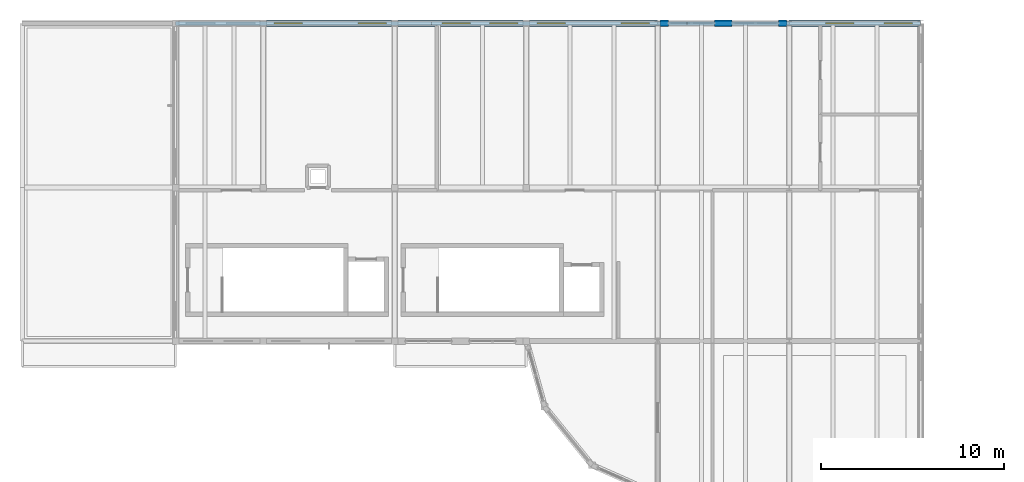
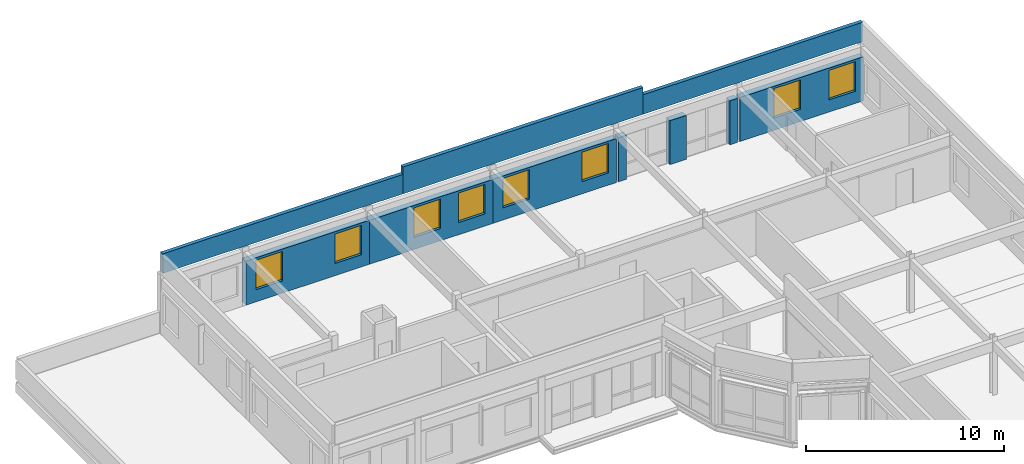
# One storey, part 19 of 21: 10 walls, 8 windows, 8 openings.
"""IFC4 building model written with IfcOpenShell, lengths in metres."""

from ifc_helpers import new_model, si_unit, direction, frame, frame_2d, origin, place, context, subcontext, project, spatial, rectangle, extrude, material, layer, layer_set, type_object, element, fill, save


model = new_model("IFC4")

# Units and contexts
model_context = context("Model", 3, precision=1e-05, world=origin(), true_north=direction((0.0, 1.0)))
body_context = subcontext(model_context, "Body", "Model", "MODEL_VIEW")
ifc_project = project(units=[si_unit("LENGTHUNIT", "METRE"), si_unit("AREAUNIT", "SQUARE_METRE"), si_unit("VOLUMEUNIT", "CUBIC_METRE"), si_unit("PLANEANGLEUNIT", "RADIAN"), si_unit("MASSUNIT", "GRAM", prefix="KILO")], contexts=[model_context])

# Site, building, storey
site_placement = place(None, origin())
site = spatial("IfcSite", under=ifc_project, at=site_placement, CompositionType="ELEMENT")
building_placement = place(site_placement, origin())
building = spatial("IfcBuilding", under=site, at=building_placement, Name="Kahlenmark Community Centre", CompositionType="ELEMENT")
storey_placement = place(building_placement, frame((0.0, 0.0, 21.60009765625)))
storey = spatial("IfcBuildingStorey", under=building, at=storey_placement, Name="L05", CompositionType="ELEMENT", Elevation=21.60009765625)

# Wall, openings, windows
ifc_material_1 = material(Name="Danube limestone masonry", Category="masonry")
ifc_layer_1 = layer(ifc_material_1, 0.360107421875)
ifc_layer_set_1 = layer_set([ifc_layer_1], Name="Danube limestone masonry")
wall_type_1 = type_object("IfcWallType", Name="WT-EW-360", PredefinedType="SOLIDWALL", material=ifc_layer_set_1)
wall_1_placement = place(storey_placement, frame((58.0, 115.0, 0.0), z_axis=(0.0, 0.0, 1.0), x_axis=(-1.0, 0.0, 0.0)))
wall_1 = element("IfcWall", 1, at=wall_1_placement, inside=storey, type_object=wall_type_1, Name="Exterior wall WL-EXT-L05-0673", PredefinedType="SOLIDWALL", context=body_context, shape_type="SweptSolid", body=[
    extrude(rectangle(XDim=7.199951171875, YDim=0.360107421875, at=frame_2d((3.60009765625, 0.0))), origin(), (0.0, 0.0, 1.0), 2.7099609375),
])
opening_1_placement = place(wall_1_placement, frame((0.4599609375, 0.0, 0.75)))
opening_1 = element("IfcOpeningElement", 2, at=opening_1_placement, cuts=wall_1, Name="Opening W-155X182", PredefinedType="OPENING", context=body_context, shape_type="SweptSolid", body=[
    extrude(rectangle(XDim=1.550048828125, YDim=1.820068359375, at=frame_2d((0.77490234375, 0.91015625))), frame((0.0, 0.18994140625, 0.0), z_axis=(0.0, -1.0, 0.0), x_axis=(1.0, 0.0, 0.0)), (0.0, 0.0, 1.0), 0.380126953125),
])
opening_2_placement = place(wall_1_placement, frame((5.06005859375, 0.0, 0.75)))
opening_2 = element("IfcOpeningElement", 3, at=opening_2_placement, cuts=wall_1, Name="Opening W-155X182", PredefinedType="OPENING", context=body_context, shape_type="SweptSolid", body=[
    extrude(rectangle(XDim=1.550048828125, YDim=1.820068359375, at=frame_2d((0.77490234375, 0.91015625))), frame((0.0, 0.18994140625, 0.0), z_axis=(0.0, -1.0, 0.0), x_axis=(1.0, 0.0, 0.0)), (0.0, 0.0, 1.0), 0.380126953125),
])
ifc_material_2 = material(Name="Deep-reveal limestone punched triple glazing", Category="masonry")
window_type = type_object("IfcWindowType", Name="WNT-155X182", PartitioningType="DOUBLE_PANEL_HORIZONTAL", PredefinedType="WINDOW", material=ifc_material_2)
window_1_placement = place(opening_1_placement, origin())
window_1 = element("IfcWindow", 4, at=window_1_placement, inside=storey, type_object=window_type, Name="Window W-155X182 #0453", OverallHeight=1.820068359375, OverallWidth=1.550048828125, PartitioningType="DOUBLE_PANEL_HORIZONTAL", PredefinedType="WINDOW", context=body_context, shape_type="SweptSolid", body=[
    extrude(rectangle(XDim=1.550048828125, YDim=1.820068359375, at=frame_2d((0.77490234375, 0.91015625))), frame((0.0, 0.030029296875, 0.0), z_axis=(0.0, -1.0, 0.0), x_axis=(1.0, 0.0, 0.0)), (0.0, 0.0, 1.0), 0.06005859375),
])
fill(opening_1, window_1)
window_2_placement = place(opening_2_placement, origin())
window_2 = element("IfcWindow", 5, at=window_2_placement, inside=storey, type_object=window_type, Name="Window W-155X182 #0454", OverallHeight=1.820068359375, OverallWidth=1.550048828125, PartitioningType="DOUBLE_PANEL_HORIZONTAL", PredefinedType="WINDOW", context=body_context, shape_type="SweptSolid", body=[
    extrude(rectangle(XDim=1.550048828125, YDim=1.820068359375, at=frame_2d((0.77490234375, 0.91015625))), frame((0.0, 0.030029296875, 0.0), z_axis=(0.0, -1.0, 0.0), x_axis=(1.0, 0.0, 0.0)), (0.0, 0.0, 1.0), 0.06005859375),
])
fill(opening_2, window_2)

wall_2_placement = place(storey_placement, frame((65.199951171875, 115.0, 0.0), z_axis=(0.0, 0.0, 1.0), x_axis=(-1.0, 0.0, 0.0)))
wall_2 = element("IfcWall", 6, at=wall_2_placement, inside=storey, type_object=wall_type_1, Name="Exterior wall WL-EXT-L05-0674", PredefinedType="SOLIDWALL", context=body_context, shape_type="SweptSolid", body=[
    extrude(rectangle(XDim=7.199951171875, YDim=0.360107421875, at=frame_2d((3.60009765625, 0.0))), origin(), (0.0, 0.0, 1.0), 2.7099609375),
])
opening_3_placement = place(wall_2_placement, frame((0.4599609375, 0.0, 0.75)))
opening_3 = element("IfcOpeningElement", 7, at=opening_3_placement, cuts=wall_2, Name="Opening W-155X182", PredefinedType="OPENING", context=body_context, shape_type="SweptSolid", body=[
    extrude(rectangle(XDim=1.550048828125, YDim=1.820068359375, at=frame_2d((0.77490234375, 0.91015625))), frame((0.0, 0.18994140625, 0.0), z_axis=(0.0, -1.0, 0.0), x_axis=(1.0, 0.0, 0.0)), (0.0, 0.0, 1.0), 0.380126953125),
])
opening_4_placement = place(wall_2_placement, frame((3.06005859375, 0.0, 0.75)))
opening_4 = element("IfcOpeningElement", 8, at=opening_4_placement, cuts=wall_2, Name="Opening W-155X182", PredefinedType="OPENING", context=body_context, shape_type="SweptSolid", body=[
    extrude(rectangle(XDim=1.550048828125, YDim=1.820068359375, at=frame_2d((0.77490234375, 0.91015625))), frame((0.0, 0.18994140625, 0.0), z_axis=(0.0, -1.0, 0.0), x_axis=(1.0, 0.0, 0.0)), (0.0, 0.0, 1.0), 0.380126953125),
])
window_3_placement = place(opening_3_placement, origin())
window_3 = element("IfcWindow", 9, at=window_3_placement, inside=storey, type_object=window_type, Name="Window W-155X182 #0455", OverallHeight=1.820068359375, OverallWidth=1.550048828125, PartitioningType="DOUBLE_PANEL_HORIZONTAL", PredefinedType="WINDOW", context=body_context, shape_type="SweptSolid", body=[
    extrude(rectangle(XDim=1.550048828125, YDim=1.820068359375, at=frame_2d((0.77490234375, 0.91015625))), frame((0.0, 0.030029296875, 0.0), z_axis=(0.0, -1.0, 0.0), x_axis=(1.0, 0.0, 0.0)), (0.0, 0.0, 1.0), 0.06005859375),
])
fill(opening_3, window_3)
window_4_placement = place(opening_4_placement, origin())
window_4 = element("IfcWindow", 10, at=window_4_placement, inside=storey, type_object=window_type, Name="Window W-155X182 #0456", OverallHeight=1.820068359375, OverallWidth=1.550048828125, PartitioningType="DOUBLE_PANEL_HORIZONTAL", PredefinedType="WINDOW", context=body_context, shape_type="SweptSolid", body=[
    extrude(rectangle(XDim=1.550048828125, YDim=1.820068359375, at=frame_2d((0.77490234375, 0.91015625))), frame((0.0, 0.030029296875, 0.0), z_axis=(0.0, -1.0, 0.0), x_axis=(1.0, 0.0, 0.0)), (0.0, 0.0, 1.0), 0.06005859375),
])
fill(opening_4, window_4)

wall_3_placement = place(storey_placement, frame((72.39990234375, 115.0, 0.0), z_axis=(0.0, 0.0, 1.0), x_axis=(-1.0, 0.0, 0.0)))
wall_3 = element("IfcWall", 11, at=wall_3_placement, inside=storey, type_object=wall_type_1, Name="Exterior wall WL-EXT-L05-0675", PredefinedType="SOLIDWALL", context=body_context, shape_type="SweptSolid", body=[
    extrude(rectangle(XDim=7.199951171875, YDim=0.360107421875, at=frame_2d((3.60009765625, 0.0))), origin(), (0.0, 0.0, 1.0), 2.7099609375),
])
opening_5_placement = place(wall_3_placement, frame((0.4599609375, 0.0, 0.75)))
opening_5 = element("IfcOpeningElement", 12, at=opening_5_placement, cuts=wall_3, Name="Opening W-155X182", PredefinedType="OPENING", context=body_context, shape_type="SweptSolid", body=[
    extrude(rectangle(XDim=1.550048828125, YDim=1.820068359375, at=frame_2d((0.77490234375, 0.91015625))), frame((0.0, 0.18994140625, 0.0), z_axis=(0.0, -1.0, 0.0), x_axis=(1.0, 0.0, 0.0)), (0.0, 0.0, 1.0), 0.380126953125),
])
opening_6_placement = place(wall_3_placement, frame((5.06005859375, 0.0, 0.75)))
opening_6 = element("IfcOpeningElement", 13, at=opening_6_placement, cuts=wall_3, Name="Opening W-155X182", PredefinedType="OPENING", context=body_context, shape_type="SweptSolid", body=[
    extrude(rectangle(XDim=1.550048828125, YDim=1.820068359375, at=frame_2d((0.77490234375, 0.91015625))), frame((0.0, 0.18994140625, 0.0), z_axis=(0.0, -1.0, 0.0), x_axis=(1.0, 0.0, 0.0)), (0.0, 0.0, 1.0), 0.380126953125),
])
window_5_placement = place(opening_5_placement, origin())
window_5 = element("IfcWindow", 14, at=window_5_placement, inside=storey, type_object=window_type, Name="Window W-155X182 #0457", OverallHeight=1.820068359375, OverallWidth=1.550048828125, PartitioningType="DOUBLE_PANEL_HORIZONTAL", PredefinedType="WINDOW", context=body_context, shape_type="SweptSolid", body=[
    extrude(rectangle(XDim=1.550048828125, YDim=1.820068359375, at=frame_2d((0.77490234375, 0.91015625))), frame((0.0, 0.030029296875, 0.0), z_axis=(0.0, -1.0, 0.0), x_axis=(1.0, 0.0, 0.0)), (0.0, 0.0, 1.0), 0.06005859375),
])
fill(opening_5, window_5)
window_6_placement = place(opening_6_placement, origin())
window_6 = element("IfcWindow", 15, at=window_6_placement, inside=storey, type_object=window_type, Name="Window W-155X182 #0458", OverallHeight=1.820068359375, OverallWidth=1.550048828125, PartitioningType="DOUBLE_PANEL_HORIZONTAL", PredefinedType="WINDOW", context=body_context, shape_type="SweptSolid", body=[
    extrude(rectangle(XDim=1.550048828125, YDim=1.820068359375, at=frame_2d((0.77490234375, 0.91015625))), frame((0.0, 0.030029296875, 0.0), z_axis=(0.0, -1.0, 0.0), x_axis=(1.0, 0.0, 0.0)), (0.0, 0.0, 1.0), 0.06005859375),
])
fill(opening_6, window_6)

# Walls
wall_4_placement = place(storey_placement, frame((76.47998046875, 115.0, 0.0), z_axis=(0.0, 0.0, 1.0), x_axis=(-1.0, 0.0, 0.0)))
element("IfcWall", 16, at=wall_4_placement, inside=storey, type_object=wall_type_1, Name="Postmodern limestone pier 0676", PredefinedType="SOLIDWALL", context=body_context, shape_type="SweptSolid", body=[
    extrude(rectangle(XDim=0.9599609375, YDim=0.360107421875, at=frame_2d((0.47998046875, 0.0))), origin(), (0.0, 0.0, 1.0), 2.7099609375),
])
for number, where, z_axis, x_axis, name in (
    (17, (79.469970703125, 115.0, 0.0), (0.0, 0.0, 1.0), (-1.0, 0.0, 0.0), "Column closure pier 0677"),
    (18, (72.97998046875, 115.0, 0.0), (0.0, 0.0, 1.0), (-1.0, 0.0, 0.0), "Column closure pier 0678"),
):
    element("IfcWall", number, at=place(storey_placement, frame(where, z_axis=z_axis, x_axis=x_axis)), inside=storey, type_object=wall_type_1, Name=name, PredefinedType="SOLIDWALL", context=body_context, shape_type="SweptSolid", body=[
        extrude(rectangle(XDim=0.449951171875, YDim=0.360107421875, at=frame_2d((0.22509765625, 0.0))), origin(), (0.0, 0.0, 1.0), 2.7099609375),
    ])

# Wall, openings, windows
wall_5_placement = place(storey_placement, frame((86.800048828125, 115.0, 0.0), z_axis=(0.0, 0.0, 1.0), x_axis=(-1.0, 0.0, 0.0)))
wall_5 = element("IfcWall", 19, at=wall_5_placement, inside=storey, type_object=wall_type_1, Name="Exterior wall WL-EXT-L05-0679", PredefinedType="SOLIDWALL", context=body_context, shape_type="SweptSolid", body=[
    extrude(rectangle(XDim=7.199951171875, YDim=0.360107421875, at=frame_2d((3.60009765625, 0.0))), origin(), (0.0, 0.0, 1.0), 2.7099609375),
])
opening_7_placement = place(wall_5_placement, frame((0.4599609375, 0.0, 0.75)))
opening_7 = element("IfcOpeningElement", 20, at=opening_7_placement, cuts=wall_5, Name="Opening W-155X182", PredefinedType="OPENING", context=body_context, shape_type="SweptSolid", body=[
    extrude(rectangle(XDim=1.550048828125, YDim=1.820068359375, at=frame_2d((0.77490234375, 0.91015625))), frame((0.0, 0.18994140625, 0.0), z_axis=(0.0, -1.0, 0.0), x_axis=(1.0, 0.0, 0.0)), (0.0, 0.0, 1.0), 0.380126953125),
])
opening_8_placement = place(wall_5_placement, frame((3.659912109375, 0.0, 0.75)))
opening_8 = element("IfcOpeningElement", 21, at=opening_8_placement, cuts=wall_5, Name="Opening W-155X182", PredefinedType="OPENING", context=body_context, shape_type="SweptSolid", body=[
    extrude(rectangle(XDim=1.550048828125, YDim=1.820068359375, at=frame_2d((0.77490234375, 0.91015625))), frame((0.0, 0.18994140625, 0.0), z_axis=(0.0, -1.0, 0.0), x_axis=(1.0, 0.0, 0.0)), (0.0, 0.0, 1.0), 0.380126953125),
])
window_7_placement = place(opening_7_placement, origin())
window_7 = element("IfcWindow", 22, at=window_7_placement, inside=storey, type_object=window_type, Name="Window W-155X182 #0459", OverallHeight=1.820068359375, OverallWidth=1.550048828125, PartitioningType="DOUBLE_PANEL_HORIZONTAL", PredefinedType="WINDOW", context=body_context, shape_type="SweptSolid", body=[
    extrude(rectangle(XDim=1.550048828125, YDim=1.820068359375, at=frame_2d((0.77490234375, 0.91015625))), frame((0.0, 0.030029296875, 0.0), z_axis=(0.0, -1.0, 0.0), x_axis=(1.0, 0.0, 0.0)), (0.0, 0.0, 1.0), 0.06005859375),
])
fill(opening_7, window_7)
window_8_placement = place(opening_8_placement, origin())
window_8 = element("IfcWindow", 23, at=window_8_placement, inside=storey, type_object=window_type, Name="Window W-155X182 #0460", OverallHeight=1.820068359375, OverallWidth=1.550048828125, PartitioningType="DOUBLE_PANEL_HORIZONTAL", PredefinedType="WINDOW", context=body_context, shape_type="SweptSolid", body=[
    extrude(rectangle(XDim=1.550048828125, YDim=1.820068359375, at=frame_2d((0.77490234375, 0.91015625))), frame((0.0, 0.030029296875, 0.0), z_axis=(0.0, -1.0, 0.0), x_axis=(1.0, 0.0, 0.0)), (0.0, 0.0, 1.0), 0.06005859375),
])
fill(opening_8, window_8)

# Walls
ifc_material_3 = material(Name="Concrete C30/37", Category="concrete")
ifc_layer_2 = layer(ifc_material_3, 0.219970703125)
ifc_layer_set_2 = layer_set([ifc_layer_2], Name="Concrete C30/37")
wall_type_2 = type_object("IfcWallType", Name="WT-PAR-220", PredefinedType="PARAPET", material=ifc_layer_set_2)
wall_6_placement = place(storey_placement, frame((46.0, 115.0, 3.599853515625), z_axis=(0.0, 0.0, 1.0), x_axis=(1.0, 0.0, 0.0)))
element("IfcWall", 24, at=wall_6_placement, inside=storey, type_object=wall_type_2, Name="Roof parapet 1059", PredefinedType="PARAPET", context=body_context, shape_type="SweptSolid", body=[
    extrude(rectangle(XDim=14.0, YDim=0.219970703125, at=frame_2d((7.0, 0.0))), origin(), (0.0, 0.0, 1.0), 1.199951171875),
])
wall_7_placement = place(storey_placement, frame((60.0, 115.0, 3.599853515625), z_axis=(0.0, 0.0, 1.0), x_axis=(1.0, 0.0, 0.0)))
element("IfcWall", 25, at=wall_7_placement, inside=storey, type_object=wall_type_2, Name="Roof parapet 1060", PredefinedType="PARAPET", context=body_context, shape_type="SweptSolid", body=[
    extrude(rectangle(XDim=14.0, YDim=0.219970703125, at=frame_2d((7.0, 0.0))), origin(), (0.0, 0.0, 1.0), 1.650146484375),
])
wall_8_placement = place(storey_placement, frame((74.0, 115.0, 3.599853515625), z_axis=(0.0, 0.0, 1.0), x_axis=(1.0, 0.0, 0.0)))
element("IfcWall", 26, at=wall_8_placement, inside=storey, type_object=wall_type_2, Name="Roof parapet 1061", PredefinedType="PARAPET", context=body_context, shape_type="SweptSolid", body=[
    extrude(rectangle(XDim=12.800048828125, YDim=0.219970703125, at=frame_2d((6.39990234375, 0.0))), origin(), (0.0, 0.0, 1.0), 1.199951171875),
])

save(model, "model.ifc")
